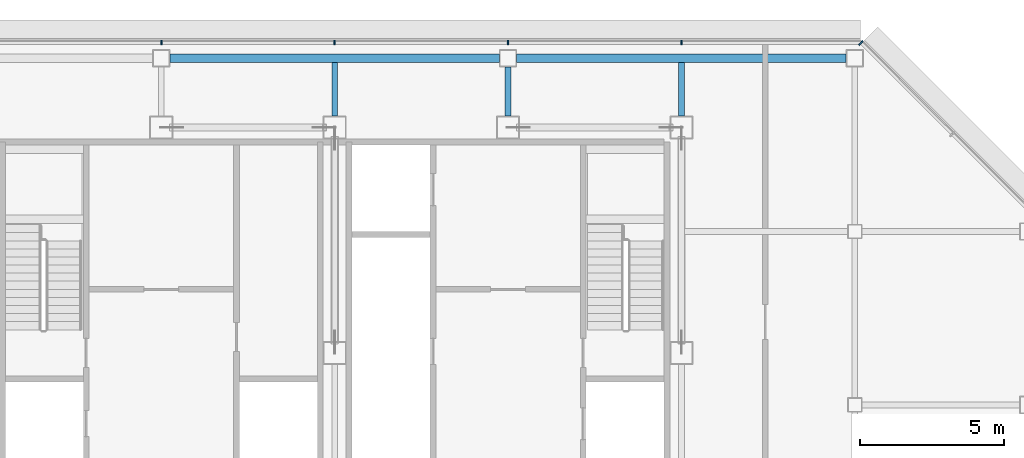
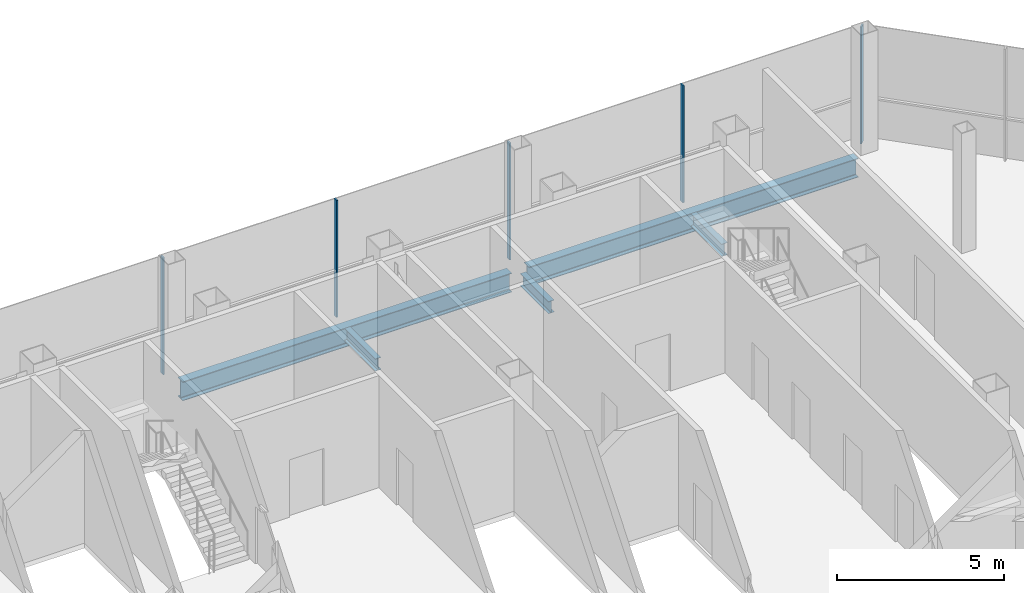
# One storey, part 16 of 29: 5 beams, 5 members, 2 elements without a shape of their own.
"""IFC4 building model written with IfcOpenShell, lengths in metres."""

from ifc_helpers import new_model, si_unit, direction, frame, origin, origin_2d, place, context, subcontext, project, spatial, rectangle, i_section, extrude, material, material_profile, profile_set, type_object, element, aggregate, save


model = new_model("IFC4")

# Units and contexts
model_context = context("Model", 3, precision=1e-05, world=origin(), true_north=direction((0.0, 1.0)))
body_context = subcontext(model_context, "Body", "Model", "MODEL_VIEW")
ifc_project = project(units=[si_unit("LENGTHUNIT", "METRE"), si_unit("AREAUNIT", "SQUARE_METRE"), si_unit("VOLUMEUNIT", "CUBIC_METRE"), si_unit("PLANEANGLEUNIT", "RADIAN"), si_unit("MASSUNIT", "GRAM", prefix="KILO")], contexts=[model_context])

# Site, building, storey
site_placement = place(None, origin())
site = spatial("IfcSite", under=ifc_project, at=site_placement, CompositionType="ELEMENT")
building_placement = place(site_placement, origin())
building = spatial("IfcBuilding", under=site, at=building_placement, Name="Sorahane Residences", CompositionType="ELEMENT")
storey_placement = place(building_placement, frame((0.0, 0.0, 277.39990234375)))
storey = spatial("IfcBuildingStorey", under=building, at=storey_placement, Name="L66", CompositionType="ELEMENT", Elevation=277.39990234375)

# Curtain wall, members
ifc_material_1 = material(Name="Dark low-e glass and black anodised aluminium", Category="aluminium")
curtain_wall_type_1 = type_object("IfcCurtainWallType", Name="Curtain wall CW-1 Typical unitised wall", PredefinedType="NOTDEFINED", material=ifc_material_1)
curtain_wall_1_placement = place(storey_placement, origin())
curtain_wall_1 = element("IfcCurtainWall", 1, at=curtain_wall_1_placement, inside=storey, type_object=curtain_wall_type_1, Name="CW-1 curtain wall L66 N1", PredefinedType="NOTDEFINED")
ifc_material_2 = material(Name="Black anodised aluminium", Category="aluminium")
ifc_material_profile_1 = material_profile(ifc_material_2, rectangle(XDim=0.159912109375, YDim=0.050048828125, at=origin_2d()), Name="Curtain wall mullion CW-1 black anodised aluminium 50x160")
ifc_profile_set_1 = profile_set([ifc_material_profile_1], Name="Black anodised aluminium")
member_type_1 = type_object("IfcMemberType", Name="Curtain wall mullion CW-1 black anodised aluminium 50x160", PredefinedType="MULLION", material=ifc_profile_set_1)
member_1_placement = place(storey_placement, frame((42.0, 48.5400390625, -0.179931640625), z_axis=(0.0, 0.0, 1.0), x_axis=(0.0, 1.0, 0.0)))
member_1 = element("IfcMember", 2, at=member_1_placement, type_object=member_type_1, Name="CW-1 mullion L66 N1.2", PredefinedType="MULLION", context=body_context, shape_type="SweptSolid", body=[
    extrude(rectangle(XDim=0.159912109375, YDim=0.050048828125, at=origin_2d()), origin(), (0.0, 0.0, 1.0), 4.280029296875),
])
member_2_placement = place(storey_placement, frame((36.0, 48.5400390625, -0.179931640625), z_axis=(0.0, 0.0, 1.0), x_axis=(0.0, 1.0, 0.0)))
member_2 = element("IfcMember", 3, at=member_2_placement, type_object=member_type_1, Name="CW-1 mullion L66 N1.3", PredefinedType="MULLION", context=body_context, shape_type="SweptSolid", body=[
    extrude(rectangle(XDim=0.159912109375, YDim=0.050048828125, at=origin_2d()), origin(), (0.0, 0.0, 1.0), 4.280029296875),
])
member_3_placement = place(storey_placement, frame((30.0, 48.5400390625, -0.179931640625), z_axis=(0.0, 0.0, 1.0), x_axis=(0.0, 1.0, 0.0)))
member_3 = element("IfcMember", 4, at=member_3_placement, type_object=member_type_1, Name="CW-1 mullion L66 N1.4", PredefinedType="MULLION", context=body_context, shape_type="SweptSolid", body=[
    extrude(rectangle(XDim=0.159912109375, YDim=0.050048828125, at=origin_2d()), origin(), (0.0, 0.0, 1.0), 4.280029296875),
])
member_4_placement = place(storey_placement, frame((24.0, 48.5400390625, -0.179931640625), z_axis=(0.0, 0.0, 1.0), x_axis=(0.0, 1.0, 0.0)))
member_4 = element("IfcMember", 5, at=member_4_placement, type_object=member_type_1, Name="CW-1 mullion L66 N1.5", PredefinedType="MULLION", context=body_context, shape_type="SweptSolid", body=[
    extrude(rectangle(XDim=0.159912109375, YDim=0.050048828125, at=origin_2d()), origin(), (0.0, 0.0, 1.0), 4.280029296875),
])
aggregate(curtain_wall_1, [member_1, member_2, member_3, member_4])

# Curtain wall, member
ifc_material_3 = material(Name="Dark low-e glass and black anodised aluminium", Category="aluminium")
curtain_wall_type_2 = type_object("IfcCurtainWallType", Name="Curtain wall CW-2 Chamfer unitised wall", PredefinedType="NOTDEFINED", material=ifc_material_3)
curtain_wall_2_placement = place(storey_placement, origin())
curtain_wall_2 = element("IfcCurtainWall", 6, at=curtain_wall_2_placement, inside=storey, type_object=curtain_wall_type_2, Name="CW-2 curtain wall L66 NE1", PredefinedType="NOTDEFINED")
ifc_material_4 = material(Name="Black anodised aluminium", Category="aluminium")
ifc_material_profile_2 = material_profile(ifc_material_4, rectangle(XDim=0.199951171875, YDim=0.050048828125, at=origin_2d()), Name="Curtain wall mullion CW-2 black anodised aluminium 50x200")
ifc_profile_set_2 = profile_set([ifc_material_profile_2], Name="Black anodised aluminium")
member_type_2 = type_object("IfcMemberType", Name="Curtain wall mullion CW-2 black anodised aluminium 50x200", PredefinedType="MULLION", material=ifc_profile_set_2)
member_5_placement = place(storey_placement, frame((48.209716796875, 48.525634765625, -0.179931640625), z_axis=(0.0, 0.0, 1.0), x_axis=(0.707106781187, 0.707106781187, 0.0)))
member_5 = element("IfcMember", 7, at=member_5_placement, type_object=member_type_2, Name="CW-2 mullion L66 NE1.3", PredefinedType="MULLION", context=body_context, shape_type="SweptSolid", body=[
    extrude(rectangle(XDim=0.199951171875, YDim=0.050048828125, at=origin_2d()), origin(), (0.0, 0.0, 1.0), 4.280029296875),
])
aggregate(curtain_wall_2, [member_5])

# Beams
ifc_material_5 = material(Name="Steel Q355B", Category="steel")
ifc_material_profile_3 = material_profile(ifc_material_5, i_section(OverallWidth=0.199951171875, OverallDepth=0.449951171875, WebThickness=0.009033203125, FlangeThickness=0.013916015625, FilletRadius=0.02001953125, at=origin_2d()), Name="HN 450x200x9x14")
ifc_profile_set_3 = profile_set([ifc_material_profile_3], Name="Steel Q355B")
beam_type_1 = type_object("IfcBeamType", Name="Steel floor beam HN 450x200x9x14 Q355B", PredefinedType="BEAM", material=ifc_profile_set_3)
beam_1_placement = place(storey_placement, frame((30.0, 46.0, -0.40478515625), z_axis=(0.0, 1.0, 0.0), x_axis=(-1.0, 0.0, 0.0)))
element("IfcBeam", 8, at=beam_1_placement, inside=storey, type_object=beam_type_1, Name="Beam L66 049", PredefinedType="BEAM", context=body_context, shape_type="SweptSolid", body=[
    extrude(i_section(OverallWidth=0.199951171875, OverallDepth=0.449951171875, WebThickness=0.009033203125, FlangeThickness=0.013916015625, FilletRadius=0.02001953125, at=origin_2d()), origin(), (0.0, 0.0, 1.0), 1.85009765625),
])
beam_2_placement = place(storey_placement, frame((36.0, 46.0, -0.40478515625), z_axis=(0.0, 1.0, 0.0), x_axis=(-1.0, 0.0, 0.0)))
element("IfcBeam", 9, at=beam_2_placement, inside=storey, type_object=beam_type_1, Name="Beam L66 051", PredefinedType="BEAM", context=body_context, shape_type="SweptSolid", body=[
    extrude(i_section(OverallWidth=0.199951171875, OverallDepth=0.449951171875, WebThickness=0.009033203125, FlangeThickness=0.013916015625, FilletRadius=0.02001953125, at=origin_2d()), origin(), (0.0, 0.0, 1.0), 1.699951171875),
])
beam_3_placement = place(storey_placement, frame((42.0, 46.0, -0.40478515625), z_axis=(0.0, 1.0, 0.0), x_axis=(-1.0, 0.0, 0.0)))
element("IfcBeam", 10, at=beam_3_placement, inside=storey, type_object=beam_type_1, Name="Beam L66 057", PredefinedType="BEAM", context=body_context, shape_type="SweptSolid", body=[
    extrude(i_section(OverallWidth=0.199951171875, OverallDepth=0.449951171875, WebThickness=0.009033203125, FlangeThickness=0.013916015625, FilletRadius=0.02001953125, at=origin_2d()), origin(), (0.0, 0.0, 1.0), 1.85009765625),
])
ifc_material_6 = material(Name="Steel Q355B", Category="steel")
ifc_material_profile_4 = material_profile(ifc_material_6, i_section(OverallWidth=0.300048828125, OverallDepth=0.699951171875, WebThickness=0.012939453125, FlangeThickness=0.02392578125, FilletRadius=0.028076171875, at=origin_2d()), Name="HN 700x300x13x24")
ifc_profile_set_4 = profile_set([ifc_material_profile_4], Name="Steel Q355B")
beam_type_2 = type_object("IfcBeamType", Name="Steel floor beam HN 700x300x13x24 Q355B", PredefinedType="BEAM", material=ifc_profile_set_4)
for number, where, z_axis, x_axis, name in (
    (11, (24.300048828125, 48.0, -0.52978515625), (1.0, 0.0, 0.0), (0.0, 1.0, 0.0), "Beam L66 018"),
    (12, (36.300048828125, 48.0, -0.52978515625), (1.0, 0.0, 0.0), (0.0, 1.0, 0.0), "Beam L66 019"),
):
    element("IfcBeam", number, at=place(storey_placement, frame(where, z_axis=z_axis, x_axis=x_axis)), inside=storey, type_object=beam_type_2, Name=name, PredefinedType="BEAM", context=body_context, shape_type="SweptSolid", body=[
        extrude(i_section(OverallWidth=0.300048828125, OverallDepth=0.699951171875, WebThickness=0.012939453125, FlangeThickness=0.02392578125, FilletRadius=0.028076171875, at=origin_2d()), origin(), (0.0, 0.0, 1.0), 11.39990234375),
    ])

save(model, "model.ifc")
